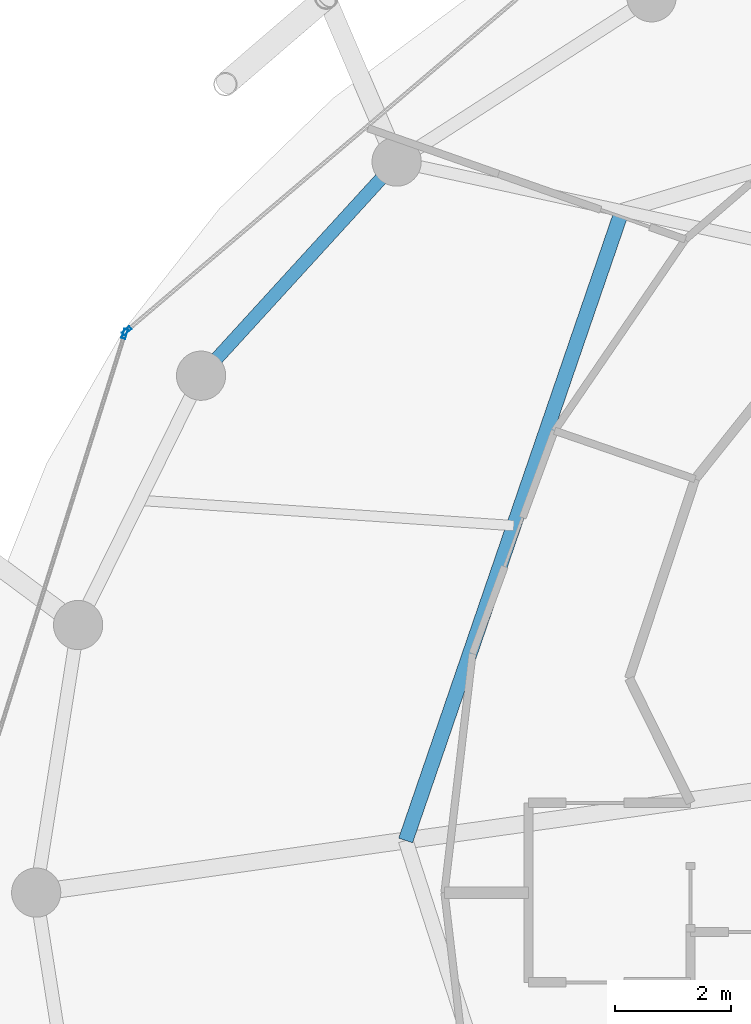
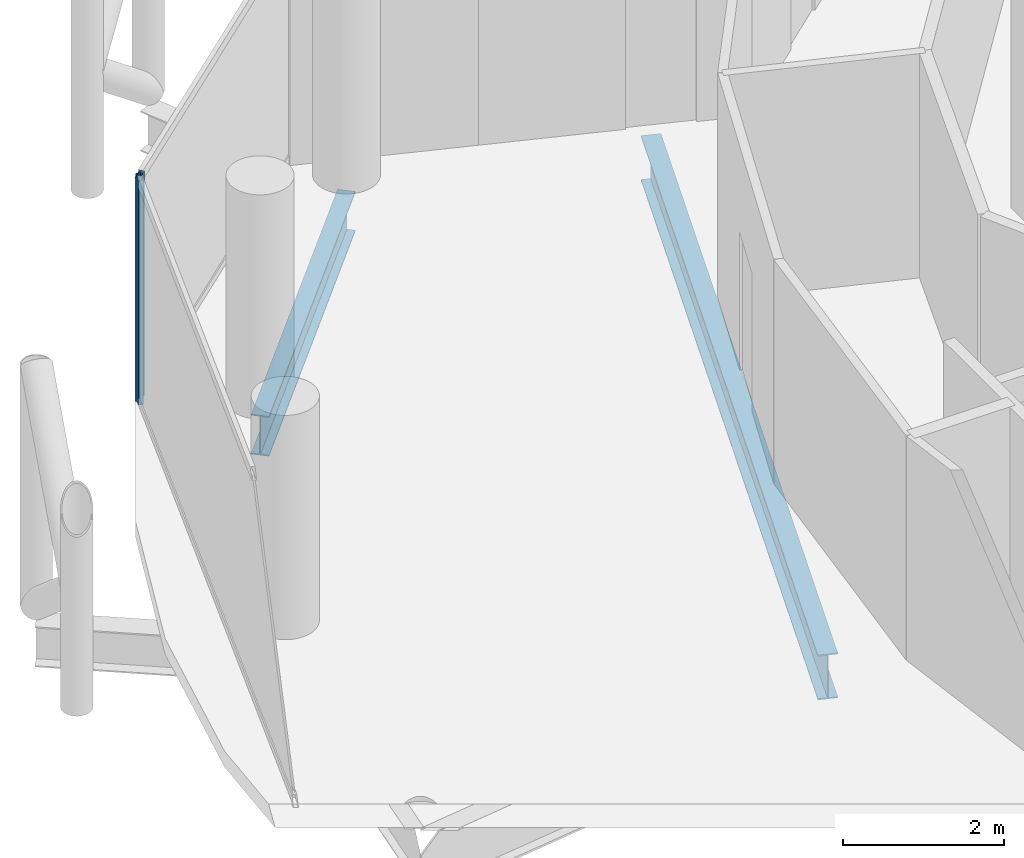
# One storey, part 9 of 27: 2 beams, 2 members, 2 elements without a shape of their own.
"""IFC4 building model written with IfcOpenShell, lengths in metres."""

from ifc_helpers import new_model, si_unit, direction, frame, origin, origin_2d, place, context, subcontext, project, spatial, hollow_rectangle, i_section, extrude, material, layer, layer_set, material_profile, profile_set, type_object, element, aggregate, save


model = new_model("IFC4")

# Units and contexts
model_context = context("Model", 3, precision=1e-05, world=origin(), true_north=direction((0.0, 1.0)))
body_context = subcontext(model_context, "Body", "Model", "MODEL_VIEW")
ifc_project = project(units=[si_unit("LENGTHUNIT", "METRE"), si_unit("AREAUNIT", "SQUARE_METRE"), si_unit("VOLUMEUNIT", "CUBIC_METRE"), si_unit("PLANEANGLEUNIT", "RADIAN"), si_unit("MASSUNIT", "GRAM", prefix="KILO")], contexts=[model_context])

# Site, building, storey
site_placement = place(None, origin())
site = spatial("IfcSite", under=ifc_project, at=site_placement, CompositionType="ELEMENT")
building_placement = place(site_placement, origin())
building = spatial("IfcBuilding", under=site, at=building_placement, Name="Nuhasar Tower", CompositionType="ELEMENT")
storey_placement = place(building_placement, frame((0.0, 0.0, 211.800048828125)))
storey = spatial("IfcBuildingStorey", under=building, at=storey_placement, Name="L51", CompositionType="ELEMENT", Elevation=211.800048828125)

# Beams
ifc_material_1 = material(Name="Steel S355", Category="steel")
ifc_material_profile_1 = material_profile(ifc_material_1, i_section(OverallWidth=0.25390625, OverallDepth=0.68408203125, WebThickness=0.012451171875, FlangeThickness=0.018798828125, at=origin_2d()), Name="W27X94")
ifc_profile_set_1 = profile_set([ifc_material_profile_1], Name="Steel S355")
beam_type_1 = type_object("IfcBeamType", Name="BM-INRING-W27X94", PredefinedType="BEAM", material=ifc_profile_set_1)
beam_1_placement = place(storey_placement, frame((27.864013671875, 38.572998046875, -0.58203125), z_axis=(-0.324809117642, -0.945779592239, 0.0), x_axis=(0.945779592239, -0.324809117642, 0.0)))
element("IfcBeam", 1, at=beam_1_placement, inside=storey, type_object=beam_type_1, Name="L51 Inner Header Beam 07", PredefinedType="BEAM", context=body_context, shape_type="SweptSolid", body=[
    extrude(i_section(OverallWidth=0.25390625, OverallDepth=0.68408203125, WebThickness=0.012451171875, FlangeThickness=0.018798828125, at=origin_2d()), origin(), (0.0, 0.0, 1.0), 11.496337890625),
])
ifc_material_profile_2 = material_profile(ifc_material_1, i_section(OverallWidth=0.22802734375, OverallDepth=0.60791015625, WebThickness=0.01123046875, FlangeThickness=0.017333984375, at=origin_2d()), Name="W24X76")
ifc_profile_set_2 = profile_set([ifc_material_profile_2], Name="Steel S355")
beam_type_2 = type_object("IfcBeamType", Name="BM-RING-W24X76", PredefinedType="SPANDREL", material=ifc_profile_set_2)
beam_2_placement = place(storey_placement, frame((23.97412109375, 39.422119140625, -0.5439453125), z_axis=(-0.674449692975, -0.738320805373, 0.0), x_axis=(0.738320805373, -0.674449692975, 0.0)))
element("IfcBeam", 2, at=beam_2_placement, inside=storey, type_object=beam_type_2, Name="L51 Perimeter Ring Spandrel 10", PredefinedType="SPANDREL", context=body_context, shape_type="SweptSolid", body=[
    extrude(i_section(OverallWidth=0.22802734375, OverallDepth=0.60791015625, WebThickness=0.01123046875, FlangeThickness=0.017333984375, at=origin_2d()), origin(), (0.0, 0.0, 1.0), 5.00732421875),
])

# Curtain wall, member
ifc_material_2 = material(Name="Aluminium 6063-T6", Category="aluminium")
ifc_layer = layer(ifc_material_2, 0.18994140625)
ifc_layer_set = layer_set([ifc_layer], Name="Aluminium 6063-T6")
curtain_wall_type = type_object("IfcCurtainWallType", Name="CW-Z3-RES", PredefinedType="NOTDEFINED", material=ifc_layer_set)
curtain_wall_1_placement = place(storey_placement, origin())
curtain_wall_1 = element("IfcCurtainWall", 3, at=curtain_wall_1_placement, inside=storey, type_object=curtain_wall_type, Name="L51 Unitised Curtain Wall 05", PredefinedType="NOTDEFINED")
ifc_material_profile_3 = material_profile(ifc_material_2, hollow_rectangle(XDim=0.06494140625, YDim=0.169921875, WallThickness=0.0048828125, at=origin_2d()), Name="CWM-4")
ifc_profile_set_3 = profile_set([ifc_material_profile_3], Name="Aluminium 6063-T6")
member_type = type_object("IfcMemberType", Name="CW-MUL-S4", PredefinedType="MULLION", material=ifc_profile_set_3)
member_1_placement = place(storey_placement, frame((19.313720703125, 36.5009765625, 0.0), z_axis=(0.0, 0.0, 1.0), x_axis=(0.64789521578, -0.761729472562, 0.0)))
member_1 = element("IfcMember", 4, at=member_1_placement, type_object=member_type, Name="CW-Z3 mullion 2", PredefinedType="MULLION", context=body_context, shape_type="SweptSolid", body=[
    extrude(hollow_rectangle(XDim=0.06494140625, YDim=0.169921875, WallThickness=0.0048828125, at=origin_2d()), origin(), (0.0, 0.0, 1.0), 3.409912109375),
])
aggregate(curtain_wall_1, [member_1])

curtain_wall_2_placement = place(storey_placement, origin())
curtain_wall_2 = element("IfcCurtainWall", 5, at=curtain_wall_2_placement, inside=storey, type_object=curtain_wall_type, Name="L51 Unitised Curtain Wall 06", PredefinedType="NOTDEFINED")
member_2_placement = place(storey_placement, frame((19.279296875, 36.448974609375, 0.0), z_axis=(0.0, 0.0, 1.0), x_axis=(0.95380429279, -0.30042864553, 0.0)))
member_2 = element("IfcMember", 6, at=member_2_placement, type_object=member_type, Name="CW-Z3 mullion 1", PredefinedType="MULLION", context=body_context, shape_type="SweptSolid", body=[
    extrude(hollow_rectangle(XDim=0.06494140625, YDim=0.169921875, WallThickness=0.0048828125, at=origin_2d()), origin(), (0.0, 0.0, 1.0), 3.409912109375),
])
aggregate(curtain_wall_2, [member_2])

save(model, "model.ifc")
